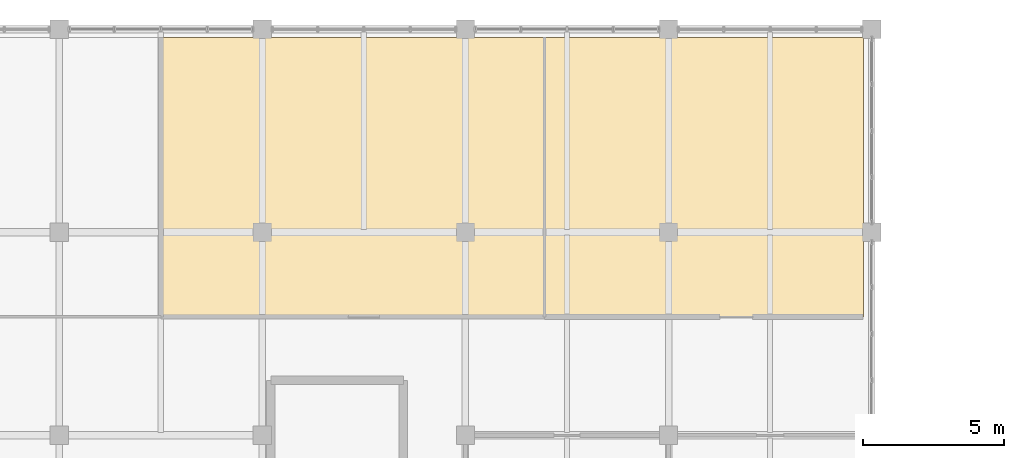
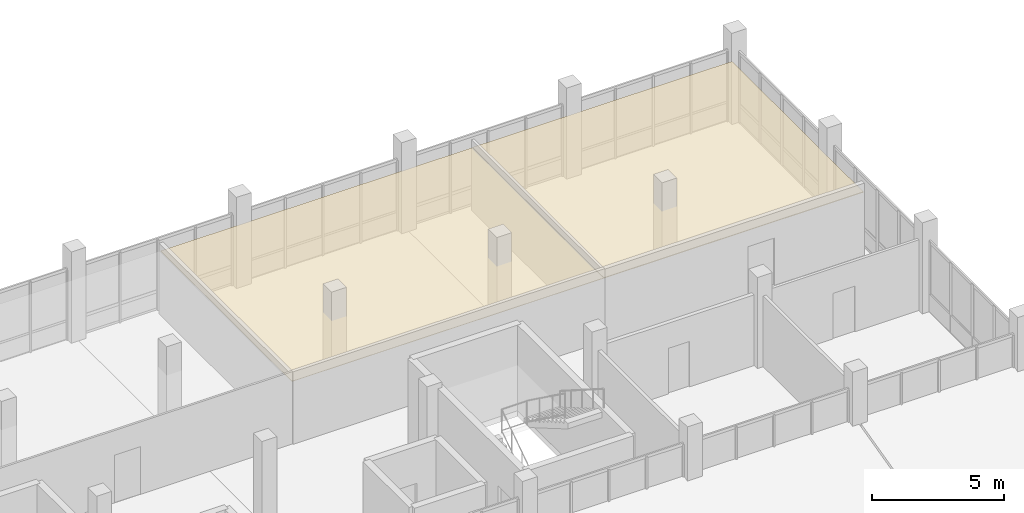
# One storey, part 144 of 144: 2 coverings.
"""IFC4 building model written with IfcOpenShell, lengths in metres."""

from ifc_helpers import new_model, si_unit, direction, frame, origin, place, context, subcontext, project, spatial, polyline, outline, extrude, material, layer, layer_set, type_object, element, save


model = new_model("IFC4")

# Units and contexts
model_context = context("Model", 3, precision=1e-05, world=origin(), true_north=direction((0.0, 1.0)))
body_context = subcontext(model_context, "Body", "Model", "MODEL_VIEW")
ifc_project = project(units=[si_unit("LENGTHUNIT", "METRE"), si_unit("AREAUNIT", "SQUARE_METRE"), si_unit("VOLUMEUNIT", "CUBIC_METRE"), si_unit("PLANEANGLEUNIT", "RADIAN"), si_unit("MASSUNIT", "GRAM", prefix="KILO")], contexts=[model_context])

# Site, building, storey
site_placement = place(None, origin())
site = spatial("IfcSite", under=ifc_project, at=site_placement, CompositionType="ELEMENT")
building_placement = place(site_placement, origin())
building = spatial("IfcBuilding", under=site, at=building_placement, Name="Yarey Park Central Fire Station", CompositionType="ELEMENT")
storey_placement = place(building_placement, frame((0.0, 0.0, 10.199951171875)))
storey = spatial("IfcBuildingStorey", under=building, at=storey_placement, Name="L03", CompositionType="ELEMENT", Elevation=10.199951171875)

# Coverings
ifc_material = material(Name="Acoustic Mineral Fibre Tile", Category="finish")
ifc_layer_1 = layer(ifc_material, 0.02001953125)
ifc_layer_set_1 = layer_set([ifc_layer_1], Name="Acoustic Mineral Fibre Tile")
covering_type_1 = type_object("IfcCoveringType", Name="INT_CEIL_ACT_1", PredefinedType="CEILING", material=ifc_layer_set_1)
covering_1_placement = place(storey_placement, frame((0.0, 0.0, 2.85009765625)))
element("IfcCovering", 1, at=covering_1_placement, inside=storey, type_object=covering_type_1, Name="CEIL_SPC_L03_PREV2", PredefinedType="CEILING", context=body_context, shape_type="SweptSolid", body=[
    extrude(outline(polyline([(133.18994140625, 104.989990234375), (146.81005859375, 104.989990234375), (146.81005859375, 114.909912109375), (133.18994140625, 114.909912109375), (133.18994140625, 104.989990234375)])), origin(), (0.0, 0.0, 1.0), 0.02001953125),
])
ifc_layer_2 = layer(ifc_material, 0.031982421875)
ifc_layer_set_2 = layer_set([ifc_layer_2], Name="Acoustic Mineral Fibre Tile")
covering_type_2 = type_object("IfcCoveringType", Name="INT_CEIL_ACT_2", PredefinedType="CEILING", material=ifc_layer_set_2)
covering_2_placement = place(storey_placement, frame((0.0, 0.0, 2.85009765625)))
element("IfcCovering", 2, at=covering_2_placement, inside=storey, type_object=covering_type_2, Name="CEIL_SPC_L03_PREV3", PredefinedType="CEILING", context=body_context, shape_type="SweptSolid", body=[
    extrude(outline(polyline([(146.7900390625, 104.989990234375), (158.110107421875, 104.989990234375), (158.110107421875, 114.909912109375), (146.7900390625, 114.909912109375), (146.7900390625, 104.989990234375)])), origin(), (0.0, 0.0, 1.0), 0.031982421875),
])

save(model, "model.ifc")
